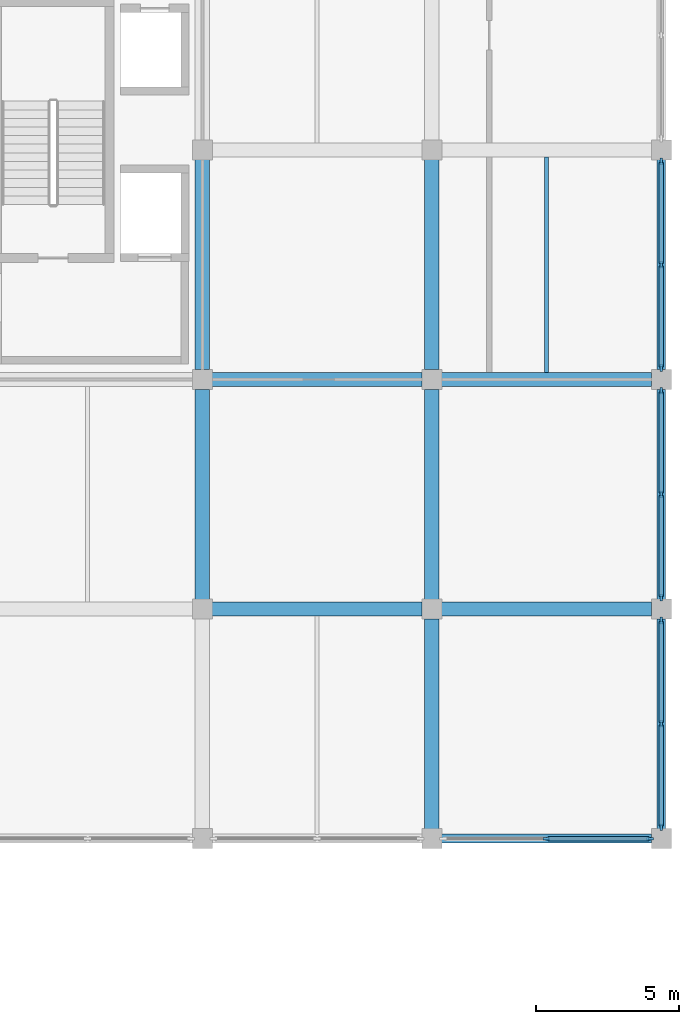
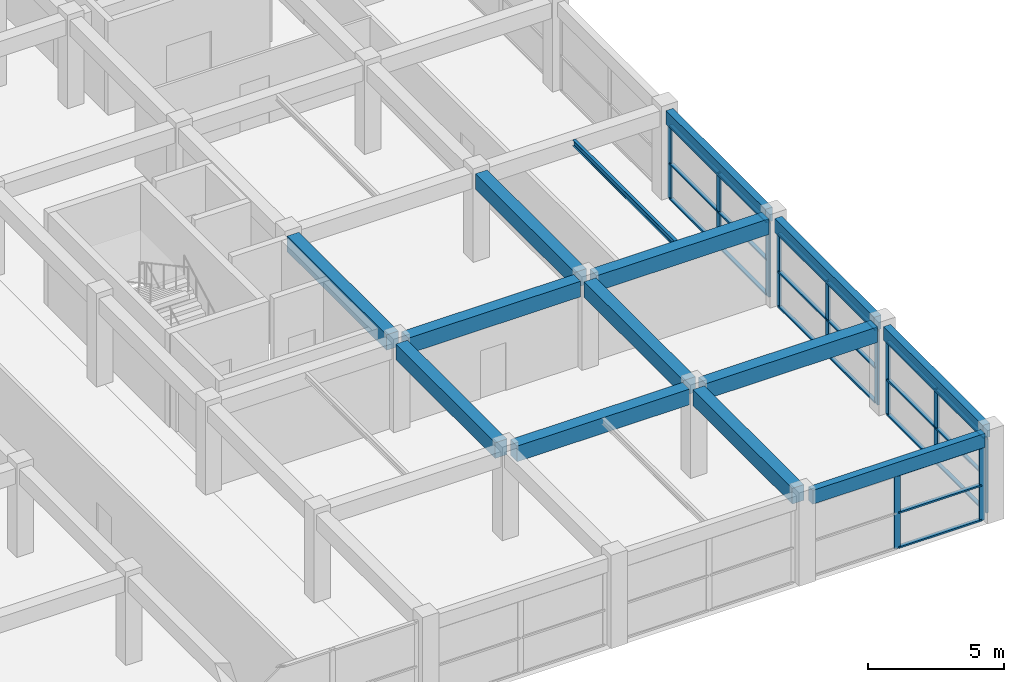
# One storey, part 21 of 67: 32 members, 14 beams, 4 elements without a shape of their own.
"""IFC4 building model written with IfcOpenShell, lengths in metres."""

from ifc_helpers import new_model, si_unit, direction, frame, origin, origin_2d, place, context, subcontext, project, spatial, rectangle, i_section, extrude, material, material_profile, profile_set, type_object, element, aggregate, save


model = new_model("IFC4")

# Units and contexts
model_context = context("Model", 3, precision=1e-05, world=origin(), true_north=direction((0.0, 1.0)))
body_context = subcontext(model_context, "Body", "Model", "MODEL_VIEW")
ifc_project = project(units=[si_unit("LENGTHUNIT", "METRE"), si_unit("AREAUNIT", "SQUARE_METRE"), si_unit("VOLUMEUNIT", "CUBIC_METRE"), si_unit("PLANEANGLEUNIT", "RADIAN"), si_unit("MASSUNIT", "GRAM", prefix="KILO")], contexts=[model_context])

# Site, building, storey
site_placement = place(None, origin())
site = spatial("IfcSite", under=ifc_project, at=site_placement, CompositionType="ELEMENT")
building_placement = place(site_placement, origin())
building = spatial("IfcBuilding", under=site, at=building_placement, Name="Kenh Van Central Station", CompositionType="ELEMENT")
storey_placement = place(building_placement, frame((0.0, 0.0, 10.800048828125)))
storey = spatial("IfcBuildingStorey", under=building, at=storey_placement, Name="L02", CompositionType="ELEMENT", Elevation=10.800048828125)

# Beams
ifc_material_1 = material(Name="Concrete C35/45", Category="concrete")
ifc_material_profile_1 = material_profile(ifc_material_1, rectangle(XDim=0.5, YDim=0.699951171875, at=origin_2d()), Name="RC 500x700")
ifc_profile_set_1 = profile_set([ifc_material_profile_1], Name="Concrete C35/45")
beam_type_1 = type_object("IfcBeamType", Name="BM-RC-500x700", PredefinedType="BEAM", material=ifc_profile_set_1)
for number, where, z_axis, x_axis, name in (
    (1, (160.340087890625, 16.0, 3.599853515625), (1.0, 0.0, 0.0), (0.0, 1.0, 0.0), "L02 beam 0933"),
    (2, (168.340087890625, 16.0, 3.599853515625), (1.0, 0.0, 0.0), (0.0, 1.0, 0.0), "L02 beam 0934"),
    (3, (160.340087890625, 24.0, 3.599853515625), (1.0, 0.0, 0.0), (0.0, 1.0, 0.0), "L02 beam 0946"),
    (4, (168.340087890625, 24.0, 3.599853515625), (1.0, 0.0, 0.0), (0.0, 1.0, 0.0), "L02 beam 0947"),
    (5, (160.0, 16.340087890625, 3.599853515625), (0.0, 1.0, 0.0), (-1.0, 0.0, 0.0), "L02 beam 1065"),
    (6, (160.0, 24.340087890625, 3.599853515625), (0.0, 1.0, 0.0), (-1.0, 0.0, 0.0), "L02 beam 1066"),
    (7, (168.0, 8.340087890625, 3.599853515625), (0.0, 1.0, 0.0), (-1.0, 0.0, 0.0), "L02 beam 1073"),
    (8, (168.0, 16.340087890625, 3.599853515625), (0.0, 1.0, 0.0), (-1.0, 0.0, 0.0), "L02 beam 1074"),
    (9, (168.0, 24.340087890625, 3.599853515625), (0.0, 1.0, 0.0), (-1.0, 0.0, 0.0), "L02 beam 1075"),
):
    element("IfcBeam", number, at=place(storey_placement, frame(where, z_axis=z_axis, x_axis=x_axis)), inside=storey, type_object=beam_type_1, Name=name, PredefinedType="BEAM", context=body_context, shape_type="SweptSolid", body=[
        extrude(rectangle(XDim=0.5, YDim=0.699951171875, at=origin_2d()), origin(), (0.0, 0.0, 1.0), 7.31982421875),
    ])

# Curtain wall, members
ifc_material_2 = material(Name="Champagne anodised aluminium", Category="aluminium")
curtain_wall_type = type_object("IfcCurtainWallType", Name="CW-OPER-A", PredefinedType="NOTDEFINED", material=ifc_material_2)
curtain_wall_1_placement = place(storey_placement, origin())
curtain_wall_1 = element("IfcCurtainWall", 10, at=curtain_wall_1_placement, inside=storey, type_object=curtain_wall_type, Name="L02 curtain wall 188", PredefinedType="NOTDEFINED")
ifc_material_profile_2 = material_profile(ifc_material_2, rectangle(XDim=0.087890625, YDim=0.239990234375, at=origin_2d()), Name="AL 88x240")
ifc_profile_set_2 = profile_set([ifc_material_profile_2], Name="Champagne anodised aluminium")
member_type_1 = type_object("IfcMemberType", Name="CWM-60x140", PredefinedType="MULLION", material=ifc_profile_set_2)
member_1_placement = place(storey_placement, frame((172.0, 8.0, 0.0), z_axis=(0.0, 0.0, 1.0), x_axis=(0.0, 1.0, 0.0)))
member_1 = element("IfcMember", 11, at=member_1_placement, type_object=member_type_1, Name="CW-07 mullion 2", PredefinedType="MULLION", context=body_context, shape_type="SweptSolid", body=[
    extrude(rectangle(XDim=0.087890625, YDim=0.239990234375, at=origin_2d()), origin(), (0.0, 0.0, 1.0), 3.329833984375),
])
member_2_placement = place(storey_placement, frame((175.60595703125, 8.0, 0.0), z_axis=(0.0, 0.0, 1.0), x_axis=(0.0, 1.0, 0.0)))
member_2 = element("IfcMember", 12, at=member_2_placement, type_object=member_type_1, Name="CW-07 mullion 3", PredefinedType="MULLION", context=body_context, shape_type="SweptSolid", body=[
    extrude(rectangle(XDim=0.087890625, YDim=0.239990234375, at=origin_2d()), origin(), (0.0, 0.0, 1.0), 3.329833984375),
])

curtain_wall_2_placement = place(storey_placement, origin())
curtain_wall_2 = element("IfcCurtainWall", 13, at=curtain_wall_2_placement, inside=storey, type_object=curtain_wall_type, Name="L02 curtain wall 189", PredefinedType="NOTDEFINED")
member_3_placement = place(storey_placement, frame((176.0, 8.39404296875, 0.0), z_axis=(0.0, 0.0, 1.0), x_axis=(-1.0, 0.0, 0.0)))
member_3 = element("IfcMember", 14, at=member_3_placement, type_object=member_type_1, Name="CW-07 mullion 1", PredefinedType="MULLION", context=body_context, shape_type="SweptSolid", body=[
    extrude(rectangle(XDim=0.087890625, YDim=0.239990234375, at=origin_2d()), origin(), (0.0, 0.0, 1.0), 3.329833984375),
])
member_4_placement = place(storey_placement, frame((176.0, 12.0, 0.0), z_axis=(0.0, 0.0, 1.0), x_axis=(-1.0, 0.0, 0.0)))
member_4 = element("IfcMember", 15, at=member_4_placement, type_object=member_type_1, Name="CW-07 mullion 2", PredefinedType="MULLION", context=body_context, shape_type="SweptSolid", body=[
    extrude(rectangle(XDim=0.087890625, YDim=0.239990234375, at=origin_2d()), origin(), (0.0, 0.0, 1.0), 3.329833984375),
])
member_5_placement = place(storey_placement, frame((176.0, 15.60595703125, 0.0), z_axis=(0.0, 0.0, 1.0), x_axis=(-1.0, 0.0, 0.0)))
member_5 = element("IfcMember", 16, at=member_5_placement, type_object=member_type_1, Name="CW-07 mullion 3", PredefinedType="MULLION", context=body_context, shape_type="SweptSolid", body=[
    extrude(rectangle(XDim=0.087890625, YDim=0.239990234375, at=origin_2d()), origin(), (0.0, 0.0, 1.0), 3.329833984375),
])

curtain_wall_3_placement = place(storey_placement, origin())
curtain_wall_3 = element("IfcCurtainWall", 17, at=curtain_wall_3_placement, inside=storey, type_object=curtain_wall_type, Name="L02 curtain wall 190", PredefinedType="NOTDEFINED")
member_6_placement = place(storey_placement, frame((176.0, 16.39404296875, 0.0), z_axis=(0.0, 0.0, 1.0), x_axis=(-1.0, 0.0, 0.0)))
member_6 = element("IfcMember", 18, at=member_6_placement, type_object=member_type_1, Name="CW-07 mullion 1", PredefinedType="MULLION", context=body_context, shape_type="SweptSolid", body=[
    extrude(rectangle(XDim=0.087890625, YDim=0.239990234375, at=origin_2d()), origin(), (0.0, 0.0, 1.0), 3.329833984375),
])
member_7_placement = place(storey_placement, frame((176.0, 20.0, 0.0), z_axis=(0.0, 0.0, 1.0), x_axis=(-1.0, 0.0, 0.0)))
member_7 = element("IfcMember", 19, at=member_7_placement, type_object=member_type_1, Name="CW-07 mullion 2", PredefinedType="MULLION", context=body_context, shape_type="SweptSolid", body=[
    extrude(rectangle(XDim=0.087890625, YDim=0.239990234375, at=origin_2d()), origin(), (0.0, 0.0, 1.0), 3.329833984375),
])
member_8_placement = place(storey_placement, frame((176.0, 23.60595703125, 0.0), z_axis=(0.0, 0.0, 1.0), x_axis=(-1.0, 0.0, 0.0)))
member_8 = element("IfcMember", 20, at=member_8_placement, type_object=member_type_1, Name="CW-07 mullion 3", PredefinedType="MULLION", context=body_context, shape_type="SweptSolid", body=[
    extrude(rectangle(XDim=0.087890625, YDim=0.239990234375, at=origin_2d()), origin(), (0.0, 0.0, 1.0), 3.329833984375),
])

curtain_wall_4_placement = place(storey_placement, origin())
curtain_wall_4 = element("IfcCurtainWall", 21, at=curtain_wall_4_placement, inside=storey, type_object=curtain_wall_type, Name="L02 curtain wall 191", PredefinedType="NOTDEFINED")
member_9_placement = place(storey_placement, frame((176.0, 24.39404296875, 0.0), z_axis=(0.0, 0.0, 1.0), x_axis=(-1.0, 0.0, 0.0)))
member_9 = element("IfcMember", 22, at=member_9_placement, type_object=member_type_1, Name="CW-07 mullion 1", PredefinedType="MULLION", context=body_context, shape_type="SweptSolid", body=[
    extrude(rectangle(XDim=0.087890625, YDim=0.239990234375, at=origin_2d()), origin(), (0.0, 0.0, 1.0), 3.329833984375),
])
member_10_placement = place(storey_placement, frame((176.0, 28.0, 0.0), z_axis=(0.0, 0.0, 1.0), x_axis=(-1.0, 0.0, 0.0)))
member_10 = element("IfcMember", 23, at=member_10_placement, type_object=member_type_1, Name="CW-07 mullion 2", PredefinedType="MULLION", context=body_context, shape_type="SweptSolid", body=[
    extrude(rectangle(XDim=0.087890625, YDim=0.239990234375, at=origin_2d()), origin(), (0.0, 0.0, 1.0), 3.329833984375),
])
member_11_placement = place(storey_placement, frame((176.0, 31.60595703125, 0.0), z_axis=(0.0, 0.0, 1.0), x_axis=(-1.0, 0.0, 0.0)))
member_11 = element("IfcMember", 24, at=member_11_placement, type_object=member_type_1, Name="CW-07 mullion 3", PredefinedType="MULLION", context=body_context, shape_type="SweptSolid", body=[
    extrude(rectangle(XDim=0.087890625, YDim=0.239990234375, at=origin_2d()), origin(), (0.0, 0.0, 1.0), 3.329833984375),
])

# Member
ifc_material_profile_3 = material_profile(ifc_material_2, rectangle(XDim=0.155029296875, YDim=0.072021484375, at=origin_2d()), Name="AL 155x72")
ifc_profile_set_3 = profile_set([ifc_material_profile_3], Name="Champagne anodised aluminium")
member_type_2 = type_object("IfcMemberType", Name="CWT-120x60", PredefinedType="USERDEFINED", material=ifc_profile_set_3)
member_12_placement = place(storey_placement, frame((172.0439453125, 8.0, 0.035888671875), z_axis=(1.0, 0.0, 0.0), x_axis=(0.0, 1.0, 0.0)))
member_12 = element("IfcMember", 25, at=member_12_placement, type_object=member_type_2, Name="CW-07 transom 2.1", ObjectType="TRANSOM", PredefinedType="USERDEFINED", context=body_context, shape_type="SweptSolid", body=[
    extrude(rectangle(XDim=0.155029296875, YDim=0.072021484375, at=origin_2d()), origin(), (0.0, 0.0, 1.0), 3.51806640625),
])

member_13_placement = place(storey_placement, frame((172.0439453125, 8.0, 1.598388671875), z_axis=(1.0, 0.0, 0.0), x_axis=(0.0, 1.0, 0.0)))
member_13 = element("IfcMember", 26, at=member_13_placement, type_object=member_type_2, Name="CW-07 transom 2.2", ObjectType="TRANSOM", PredefinedType="USERDEFINED", context=body_context, shape_type="SweptSolid", body=[
    extrude(rectangle(XDim=0.155029296875, YDim=0.072021484375, at=origin_2d()), origin(), (0.0, 0.0, 1.0), 3.51806640625),
])

member_14_placement = place(storey_placement, frame((172.0439453125, 8.0, 3.2939453125), z_axis=(1.0, 0.0, 0.0), x_axis=(0.0, 1.0, 0.0)))
member_14 = element("IfcMember", 27, at=member_14_placement, type_object=member_type_2, Name="CW-07 transom 2.3", ObjectType="TRANSOM", PredefinedType="USERDEFINED", context=body_context, shape_type="SweptSolid", body=[
    extrude(rectangle(XDim=0.155029296875, YDim=0.072021484375, at=origin_2d()), origin(), (0.0, 0.0, 1.0), 3.51806640625),
])

aggregate(curtain_wall_1, [member_1, member_2, member_12, member_13, member_14])

member_15_placement = place(storey_placement, frame((176.0, 8.43798828125, 0.035888671875), z_axis=(0.0, 1.0, 0.0), x_axis=(-1.0, 0.0, 0.0)))
member_15 = element("IfcMember", 28, at=member_15_placement, type_object=member_type_2, Name="CW-07 transom 1.1", ObjectType="TRANSOM", PredefinedType="USERDEFINED", context=body_context, shape_type="SweptSolid", body=[
    extrude(rectangle(XDim=0.155029296875, YDim=0.072021484375, at=origin_2d()), origin(), (0.0, 0.0, 1.0), 3.51806640625),
])

member_16_placement = place(storey_placement, frame((176.0, 8.43798828125, 1.598388671875), z_axis=(0.0, 1.0, 0.0), x_axis=(-1.0, 0.0, 0.0)))
member_16 = element("IfcMember", 29, at=member_16_placement, type_object=member_type_2, Name="CW-07 transom 1.2", ObjectType="TRANSOM", PredefinedType="USERDEFINED", context=body_context, shape_type="SweptSolid", body=[
    extrude(rectangle(XDim=0.155029296875, YDim=0.072021484375, at=origin_2d()), origin(), (0.0, 0.0, 1.0), 3.51806640625),
])

member_17_placement = place(storey_placement, frame((176.0, 8.43798828125, 3.2939453125), z_axis=(0.0, 1.0, 0.0), x_axis=(-1.0, 0.0, 0.0)))
member_17 = element("IfcMember", 30, at=member_17_placement, type_object=member_type_2, Name="CW-07 transom 1.3", ObjectType="TRANSOM", PredefinedType="USERDEFINED", context=body_context, shape_type="SweptSolid", body=[
    extrude(rectangle(XDim=0.155029296875, YDim=0.072021484375, at=origin_2d()), origin(), (0.0, 0.0, 1.0), 3.51806640625),
])

member_18_placement = place(storey_placement, frame((176.0, 12.0439453125, 0.035888671875), z_axis=(0.0, 1.0, 0.0), x_axis=(-1.0, 0.0, 0.0)))
member_18 = element("IfcMember", 31, at=member_18_placement, type_object=member_type_2, Name="CW-07 transom 2.1", ObjectType="TRANSOM", PredefinedType="USERDEFINED", context=body_context, shape_type="SweptSolid", body=[
    extrude(rectangle(XDim=0.155029296875, YDim=0.072021484375, at=origin_2d()), origin(), (0.0, 0.0, 1.0), 3.51806640625),
])

member_19_placement = place(storey_placement, frame((176.0, 12.0439453125, 1.598388671875), z_axis=(0.0, 1.0, 0.0), x_axis=(-1.0, 0.0, 0.0)))
member_19 = element("IfcMember", 32, at=member_19_placement, type_object=member_type_2, Name="CW-07 transom 2.2", ObjectType="TRANSOM", PredefinedType="USERDEFINED", context=body_context, shape_type="SweptSolid", body=[
    extrude(rectangle(XDim=0.155029296875, YDim=0.072021484375, at=origin_2d()), origin(), (0.0, 0.0, 1.0), 3.51806640625),
])

member_20_placement = place(storey_placement, frame((176.0, 12.0439453125, 3.2939453125), z_axis=(0.0, 1.0, 0.0), x_axis=(-1.0, 0.0, 0.0)))
member_20 = element("IfcMember", 33, at=member_20_placement, type_object=member_type_2, Name="CW-07 transom 2.3", ObjectType="TRANSOM", PredefinedType="USERDEFINED", context=body_context, shape_type="SweptSolid", body=[
    extrude(rectangle(XDim=0.155029296875, YDim=0.072021484375, at=origin_2d()), origin(), (0.0, 0.0, 1.0), 3.51806640625),
])

aggregate(curtain_wall_2, [member_3, member_4, member_5, member_15, member_16, member_17, member_18, member_19, member_20])

member_21_placement = place(storey_placement, frame((176.0, 16.43798828125, 0.035888671875), z_axis=(0.0, 1.0, 0.0), x_axis=(-1.0, 0.0, 0.0)))
member_21 = element("IfcMember", 34, at=member_21_placement, type_object=member_type_2, Name="CW-07 transom 1.1", ObjectType="TRANSOM", PredefinedType="USERDEFINED", context=body_context, shape_type="SweptSolid", body=[
    extrude(rectangle(XDim=0.155029296875, YDim=0.072021484375, at=origin_2d()), origin(), (0.0, 0.0, 1.0), 3.51806640625),
])

member_22_placement = place(storey_placement, frame((176.0, 16.43798828125, 1.598388671875), z_axis=(0.0, 1.0, 0.0), x_axis=(-1.0, 0.0, 0.0)))
member_22 = element("IfcMember", 35, at=member_22_placement, type_object=member_type_2, Name="CW-07 transom 1.2", ObjectType="TRANSOM", PredefinedType="USERDEFINED", context=body_context, shape_type="SweptSolid", body=[
    extrude(rectangle(XDim=0.155029296875, YDim=0.072021484375, at=origin_2d()), origin(), (0.0, 0.0, 1.0), 3.51806640625),
])

member_23_placement = place(storey_placement, frame((176.0, 16.43798828125, 3.2939453125), z_axis=(0.0, 1.0, 0.0), x_axis=(-1.0, 0.0, 0.0)))
member_23 = element("IfcMember", 36, at=member_23_placement, type_object=member_type_2, Name="CW-07 transom 1.3", ObjectType="TRANSOM", PredefinedType="USERDEFINED", context=body_context, shape_type="SweptSolid", body=[
    extrude(rectangle(XDim=0.155029296875, YDim=0.072021484375, at=origin_2d()), origin(), (0.0, 0.0, 1.0), 3.51806640625),
])

member_24_placement = place(storey_placement, frame((176.0, 20.0439453125, 0.035888671875), z_axis=(0.0, 1.0, 0.0), x_axis=(-1.0, 0.0, 0.0)))
member_24 = element("IfcMember", 37, at=member_24_placement, type_object=member_type_2, Name="CW-07 transom 2.1", ObjectType="TRANSOM", PredefinedType="USERDEFINED", context=body_context, shape_type="SweptSolid", body=[
    extrude(rectangle(XDim=0.155029296875, YDim=0.072021484375, at=origin_2d()), origin(), (0.0, 0.0, 1.0), 3.51806640625),
])

member_25_placement = place(storey_placement, frame((176.0, 20.0439453125, 1.598388671875), z_axis=(0.0, 1.0, 0.0), x_axis=(-1.0, 0.0, 0.0)))
member_25 = element("IfcMember", 38, at=member_25_placement, type_object=member_type_2, Name="CW-07 transom 2.2", ObjectType="TRANSOM", PredefinedType="USERDEFINED", context=body_context, shape_type="SweptSolid", body=[
    extrude(rectangle(XDim=0.155029296875, YDim=0.072021484375, at=origin_2d()), origin(), (0.0, 0.0, 1.0), 3.51806640625),
])

member_26_placement = place(storey_placement, frame((176.0, 20.0439453125, 3.2939453125), z_axis=(0.0, 1.0, 0.0), x_axis=(-1.0, 0.0, 0.0)))
member_26 = element("IfcMember", 39, at=member_26_placement, type_object=member_type_2, Name="CW-07 transom 2.3", ObjectType="TRANSOM", PredefinedType="USERDEFINED", context=body_context, shape_type="SweptSolid", body=[
    extrude(rectangle(XDim=0.155029296875, YDim=0.072021484375, at=origin_2d()), origin(), (0.0, 0.0, 1.0), 3.51806640625),
])

aggregate(curtain_wall_3, [member_6, member_7, member_8, member_21, member_22, member_23, member_24, member_25, member_26])

member_27_placement = place(storey_placement, frame((176.0, 24.43798828125, 0.035888671875), z_axis=(0.0, 1.0, 0.0), x_axis=(-1.0, 0.0, 0.0)))
member_27 = element("IfcMember", 40, at=member_27_placement, type_object=member_type_2, Name="CW-07 transom 1.1", ObjectType="TRANSOM", PredefinedType="USERDEFINED", context=body_context, shape_type="SweptSolid", body=[
    extrude(rectangle(XDim=0.155029296875, YDim=0.072021484375, at=origin_2d()), origin(), (0.0, 0.0, 1.0), 3.51806640625),
])

member_28_placement = place(storey_placement, frame((176.0, 24.43798828125, 1.598388671875), z_axis=(0.0, 1.0, 0.0), x_axis=(-1.0, 0.0, 0.0)))
member_28 = element("IfcMember", 41, at=member_28_placement, type_object=member_type_2, Name="CW-07 transom 1.2", ObjectType="TRANSOM", PredefinedType="USERDEFINED", context=body_context, shape_type="SweptSolid", body=[
    extrude(rectangle(XDim=0.155029296875, YDim=0.072021484375, at=origin_2d()), origin(), (0.0, 0.0, 1.0), 3.51806640625),
])

member_29_placement = place(storey_placement, frame((176.0, 24.43798828125, 3.2939453125), z_axis=(0.0, 1.0, 0.0), x_axis=(-1.0, 0.0, 0.0)))
member_29 = element("IfcMember", 42, at=member_29_placement, type_object=member_type_2, Name="CW-07 transom 1.3", ObjectType="TRANSOM", PredefinedType="USERDEFINED", context=body_context, shape_type="SweptSolid", body=[
    extrude(rectangle(XDim=0.155029296875, YDim=0.072021484375, at=origin_2d()), origin(), (0.0, 0.0, 1.0), 3.51806640625),
])

member_30_placement = place(storey_placement, frame((176.0, 28.0439453125, 0.035888671875), z_axis=(0.0, 1.0, 0.0), x_axis=(-1.0, 0.0, 0.0)))
member_30 = element("IfcMember", 43, at=member_30_placement, type_object=member_type_2, Name="CW-07 transom 2.1", ObjectType="TRANSOM", PredefinedType="USERDEFINED", context=body_context, shape_type="SweptSolid", body=[
    extrude(rectangle(XDim=0.155029296875, YDim=0.072021484375, at=origin_2d()), origin(), (0.0, 0.0, 1.0), 3.51806640625),
])

member_31_placement = place(storey_placement, frame((176.0, 28.0439453125, 1.598388671875), z_axis=(0.0, 1.0, 0.0), x_axis=(-1.0, 0.0, 0.0)))
member_31 = element("IfcMember", 44, at=member_31_placement, type_object=member_type_2, Name="CW-07 transom 2.2", ObjectType="TRANSOM", PredefinedType="USERDEFINED", context=body_context, shape_type="SweptSolid", body=[
    extrude(rectangle(XDim=0.155029296875, YDim=0.072021484375, at=origin_2d()), origin(), (0.0, 0.0, 1.0), 3.51806640625),
])

member_32_placement = place(storey_placement, frame((176.0, 28.0439453125, 3.2939453125), z_axis=(0.0, 1.0, 0.0), x_axis=(-1.0, 0.0, 0.0)))
member_32 = element("IfcMember", 45, at=member_32_placement, type_object=member_type_2, Name="CW-07 transom 2.3", ObjectType="TRANSOM", PredefinedType="USERDEFINED", context=body_context, shape_type="SweptSolid", body=[
    extrude(rectangle(XDim=0.155029296875, YDim=0.072021484375, at=origin_2d()), origin(), (0.0, 0.0, 1.0), 3.51806640625),
])

aggregate(curtain_wall_4, [member_9, member_10, member_11, member_27, member_28, member_29, member_30, member_31, member_32])

# Beams
ifc_material_3 = material(Name="Steel S355", Category="steel")
ifc_material_profile_4 = material_profile(ifc_material_3, i_section(OverallWidth=0.135009765625, OverallDepth=0.27001953125, WebThickness=0.006591796875, FlangeThickness=0.01025390625, FilletRadius=0.014892578125, at=origin_2d()), Name="IPE 270")
ifc_profile_set_4 = profile_set([ifc_material_profile_4], Name="Steel S355")
beam_type_2 = type_object("IfcBeamType", Name="JST-STL-IPE270", PredefinedType="JOIST", material=ifc_profile_set_4)
beam_placement = place(storey_placement, frame((172.0, 24.25, 3.81494140625), z_axis=(0.0, 1.0, 0.0), x_axis=(-1.0, 0.0, 0.0)))
element("IfcBeam", 46, at=beam_placement, inside=storey, type_object=beam_type_2, Name="L02 floor joist 1102", PredefinedType="JOIST", context=body_context, shape_type="SweptSolid", body=[
    extrude(i_section(OverallWidth=0.135009765625, OverallDepth=0.27001953125, WebThickness=0.006591796875, FlangeThickness=0.01025390625, FilletRadius=0.014892578125, at=origin_2d()), origin(), (0.0, 0.0, 1.0), 7.5),
])
ifc_material_profile_5 = material_profile(ifc_material_1, rectangle(XDim=0.300048828125, YDim=0.6201171875, at=origin_2d()), Name="RC 300x620")
ifc_profile_set_5 = profile_set([ifc_material_profile_5], Name="Concrete C35/45")
beam_type_3 = type_object("IfcBeamType", Name="SPD-RC-300x620", PredefinedType="SPANDREL", material=ifc_profile_set_5)
for number, where, z_axis, x_axis, name in (
    (47, (168.340087890625, 8.0, 3.639892578125), (1.0, 0.0, 0.0), (0.0, 1.0, 0.0), "L02 beam 0919"),
    (48, (176.0, 8.340087890625, 3.639892578125), (0.0, 1.0, 0.0), (-1.0, 0.0, 0.0), "L02 beam 1082"),
    (49, (176.0, 16.340087890625, 3.639892578125), (0.0, 1.0, 0.0), (-1.0, 0.0, 0.0), "L02 beam 1083"),
    (50, (176.0, 24.340087890625, 3.639892578125), (0.0, 1.0, 0.0), (-1.0, 0.0, 0.0), "L02 beam 1084"),
):
    element("IfcBeam", number, at=place(storey_placement, frame(where, z_axis=z_axis, x_axis=x_axis)), inside=storey, type_object=beam_type_3, Name=name, PredefinedType="SPANDREL", context=body_context, shape_type="SweptSolid", body=[
        extrude(rectangle(XDim=0.300048828125, YDim=0.6201171875, at=origin_2d()), origin(), (0.0, 0.0, 1.0), 7.31982421875),
    ])

save(model, "model.ifc")
